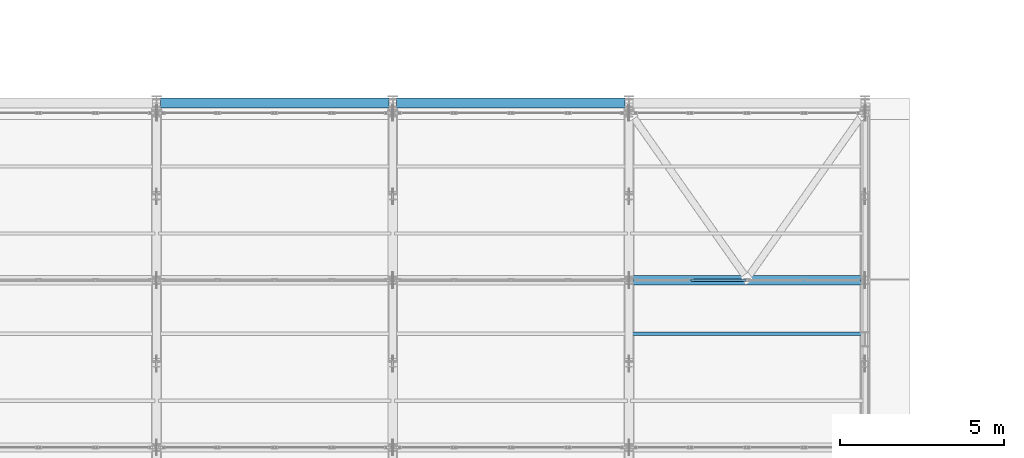
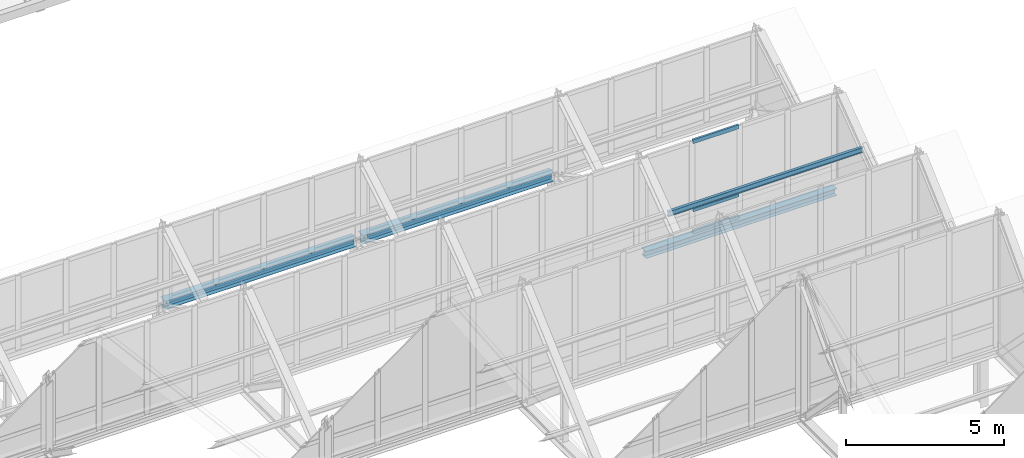
# One storey, part 70 of 157: 4 members, 3 beams, 1 element without a shape of its own.
"""IFC4 building model written with IfcOpenShell, lengths in metres."""

from ifc_helpers import new_model, si_unit, direction, frame, origin, origin_2d, place, context, subcontext, project, spatial, hollow_rectangle, i_section, extrude, material, material_profile, profile_set, type_object, element, aggregate, save


model = new_model("IFC4")

# Units and contexts
model_context = context("Model", 3, precision=1e-05, world=origin(), true_north=direction((0.0, 1.0)))
body_context = subcontext(model_context, "Body", "Model", "MODEL_VIEW")
ifc_project = project(units=[si_unit("LENGTHUNIT", "METRE"), si_unit("AREAUNIT", "SQUARE_METRE"), si_unit("VOLUMEUNIT", "CUBIC_METRE"), si_unit("PLANEANGLEUNIT", "RADIAN"), si_unit("MASSUNIT", "GRAM", prefix="KILO")], contexts=[model_context])

# Site, building, storey
site_placement = place(None, origin())
site = spatial("IfcSite", under=ifc_project, at=site_placement, CompositionType="ELEMENT")
building_placement = place(site_placement, origin())
building = spatial("IfcBuilding", under=site, at=building_placement, Name="Suanplinth Sawtooth Commons", CompositionType="ELEMENT")
storey_placement = place(building_placement, frame((0.0, 0.0, 9.0)))
storey = spatial("IfcBuildingStorey", under=building, at=storey_placement, Name="L02", CompositionType="ELEMENT", Elevation=9.0)

# Beams
ifc_material_1 = material(Name="Steel S355JR", Category="steel")
ifc_material_profile_1 = material_profile(ifc_material_1, i_section(OverallWidth=0.300048828125, OverallDepth=0.330078125, WebThickness=0.009521484375, FlangeThickness=0.0166015625, at=origin_2d()), Name="HEA 340")
ifc_profile_set_1 = profile_set([ifc_material_profile_1], Name="Steel S355JR")
beam_type_1 = type_object("IfcBeamType", Name="B-15", PredefinedType="USERDEFINED", material=ifc_profile_set_1)
for number, where, z_axis, x_axis, name in (
    (1, (93.719970703125, 86.39990234375, 2.655029296875), (1.0, 0.0, 0.0), (0.0, 1.0, 0.0), "Sawtooth North Eave Girder B5"),
    (2, (100.919921875, 86.39990234375, 2.655029296875), (1.0, 0.0, 0.0), (0.0, 1.0, 0.0), "Sawtooth North Eave Girder B6"),
):
    element("IfcBeam", number, at=place(storey_placement, frame(where, z_axis=z_axis, x_axis=x_axis)), inside=storey, type_object=beam_type_1, Name=name, ObjectType="GIRDER", PredefinedType="USERDEFINED", context=body_context, shape_type="SweptSolid", body=[
        extrude(i_section(OverallWidth=0.300048828125, OverallDepth=0.330078125, WebThickness=0.009521484375, FlangeThickness=0.0166015625, at=origin_2d()), origin(), (0.0, 0.0, 1.0), 6.9599609375),
    ])
ifc_material_profile_2 = material_profile(ifc_material_1, i_section(OverallWidth=0.280029296875, OverallDepth=0.27001953125, WebThickness=0.008056640625, FlangeThickness=0.012939453125, at=origin_2d()), Name="HEA 280")
ifc_profile_set_2 = profile_set([ifc_material_profile_2], Name="Steel S355JR")
beam_type_2 = type_object("IfcBeamType", Name="B-16", PredefinedType="USERDEFINED", material=ifc_profile_set_2)
beam_placement = place(storey_placement, frame((108.1201171875, 81.0, 2.820068359375), z_axis=(1.0, 0.0, 0.0), x_axis=(0.0, 1.0, 0.0)))
element("IfcBeam", 3, at=beam_placement, inside=storey, type_object=beam_type_2, Name="Sawtooth Valley Girder T7-B7", ObjectType="GIRDER", PredefinedType="USERDEFINED", context=body_context, shape_type="SweptSolid", body=[
    extrude(i_section(OverallWidth=0.280029296875, OverallDepth=0.27001953125, WebThickness=0.008056640625, FlangeThickness=0.012939453125, at=origin_2d()), origin(), (0.0, 0.0, 1.0), 6.9599609375),
])

# Member
ifc_material_2 = material(Name="Steel SS400", Category="steel")
ifc_material_profile_3 = material_profile(ifc_material_2, i_section(OverallWidth=0.10009765625, OverallDepth=0.199951171875, WebThickness=0.005615234375, FlangeThickness=0.008544921875, at=origin_2d()), Name="IPE 200")
ifc_profile_set_3 = profile_set([ifc_material_profile_3], Name="Steel SS400")
member_type_1 = type_object("IfcMemberType", Name="M-06", PredefinedType="PURLIN", material=ifc_profile_set_3)
member_1_placement = place(storey_placement, frame((108.050048828125, 79.367919921875, 5.353515625), z_axis=(1.0, 0.0, 0.0), x_axis=(0.0, 1.0, 0.0)))
element("IfcMember", 4, at=member_1_placement, inside=storey, type_object=member_type_1, Name="Sawtooth Roof Purlin T6-B7-P2", PredefinedType="PURLIN", context=body_context, shape_type="SweptSolid", body=[
    extrude(i_section(OverallWidth=0.10009765625, OverallDepth=0.199951171875, WebThickness=0.005615234375, FlangeThickness=0.008544921875, at=origin_2d()), origin(), (0.0, 0.0, 1.0), 7.099853515625),
])

# Curtain wall, members
ifc_material_3 = material(Name="Anodized aluminium and low-E glazing", Category="aluminium")
curtain_wall_type = type_object("IfcCurtainWallType", Name="CW-03", PredefinedType="USERDEFINED", material=ifc_material_3)
curtain_wall_placement = place(storey_placement, origin())
curtain_wall = element("IfcCurtainWall", 5, at=curtain_wall_placement, inside=storey, type_object=curtain_wall_type, Name="Curtain Wall CW-SAW-T6-B7", ObjectType="CURTAIN WALL", PredefinedType="USERDEFINED")
ifc_material_4 = material(Name="Anodized aluminium 6063-T6", Category="aluminium")
ifc_material_profile_4 = material_profile(ifc_material_4, hollow_rectangle(XDim=0.074951171875, YDim=0.14990234375, WallThickness=0.00439453125, at=origin_2d()), Name="ALU-TRN 75x150")
ifc_profile_set_4 = profile_set([ifc_material_profile_4], Name="Anodized aluminium 6063-T6")
member_type_2 = type_object("IfcMemberType", Name="M-16", PredefinedType="USERDEFINED", material=ifc_profile_set_4)
member_2_placement = place(storey_placement, frame((109.8974609375, 81.0, 3.017578125), z_axis=(1.0, 0.0, 0.0), x_axis=(0.0, 1.0, 0.0)))
member_2 = element("IfcMember", 6, at=member_2_placement, type_object=member_type_2, Name="CW-03 transom 2.1", ObjectType="TRANSOM", PredefinedType="USERDEFINED", context=body_context, shape_type="SweptSolid", body=[
    extrude(hollow_rectangle(XDim=0.074951171875, YDim=0.14990234375, WallThickness=0.00439453125, at=origin_2d()), origin(), (0.0, 0.0, 1.0), 1.6650390625),
])
member_3_placement = place(storey_placement, frame((109.8974609375, 81.0, 3.8798828125), z_axis=(1.0, 0.0, 0.0), x_axis=(0.0, 1.0, 0.0)))
member_3 = element("IfcMember", 7, at=member_3_placement, type_object=member_type_2, Name="CW-03 transom 2.2", ObjectType="TRANSOM", PredefinedType="USERDEFINED", context=body_context, shape_type="SweptSolid", body=[
    extrude(hollow_rectangle(XDim=0.074951171875, YDim=0.14990234375, WallThickness=0.00439453125, at=origin_2d()), origin(), (0.0, 0.0, 1.0), 1.6650390625),
])
member_4_placement = place(storey_placement, frame((109.8974609375, 81.0, 6.50244140625), z_axis=(1.0, 0.0, 0.0), x_axis=(0.0, 1.0, 0.0)))
member_4 = element("IfcMember", 8, at=member_4_placement, type_object=member_type_2, Name="CW-03 transom 2.3", ObjectType="TRANSOM", PredefinedType="USERDEFINED", context=body_context, shape_type="SweptSolid", body=[
    extrude(hollow_rectangle(XDim=0.074951171875, YDim=0.14990234375, WallThickness=0.00439453125, at=origin_2d()), origin(), (0.0, 0.0, 1.0), 1.6650390625),
])
aggregate(curtain_wall, [member_2, member_3, member_4])

save(model, "model.ifc")
